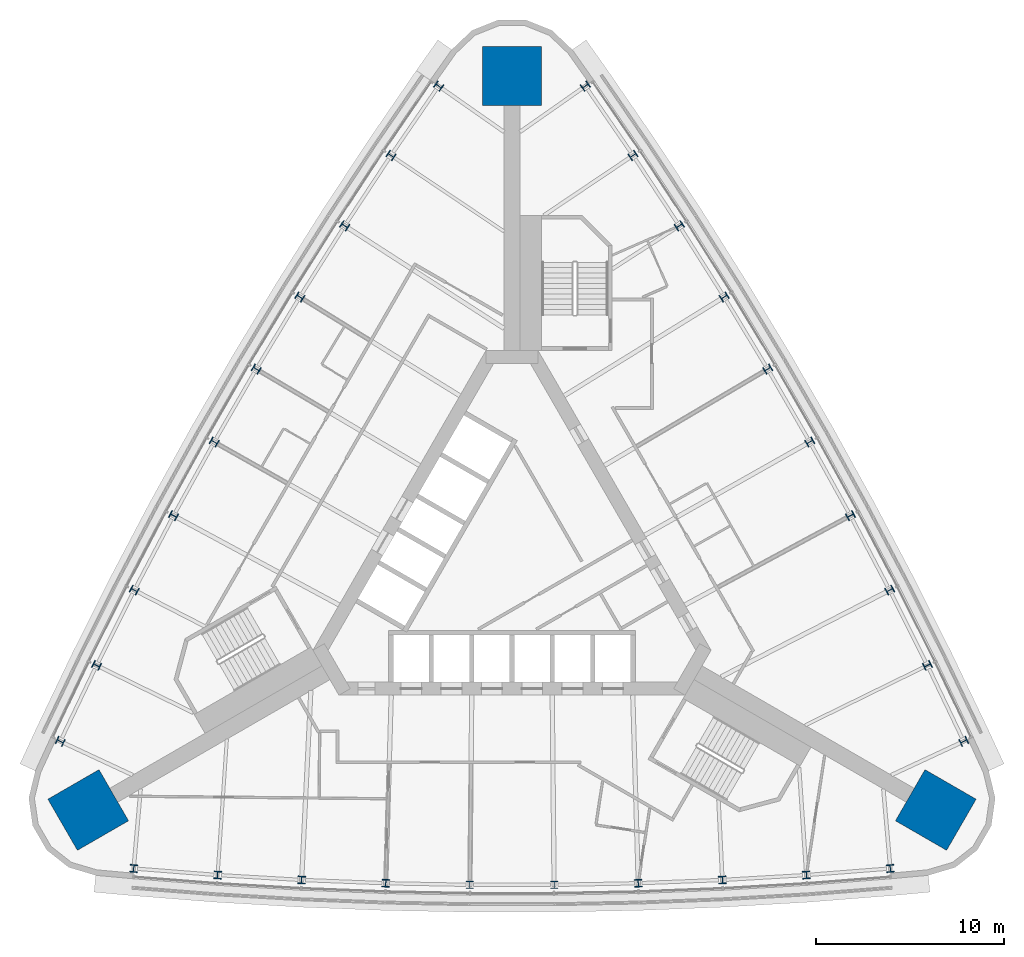
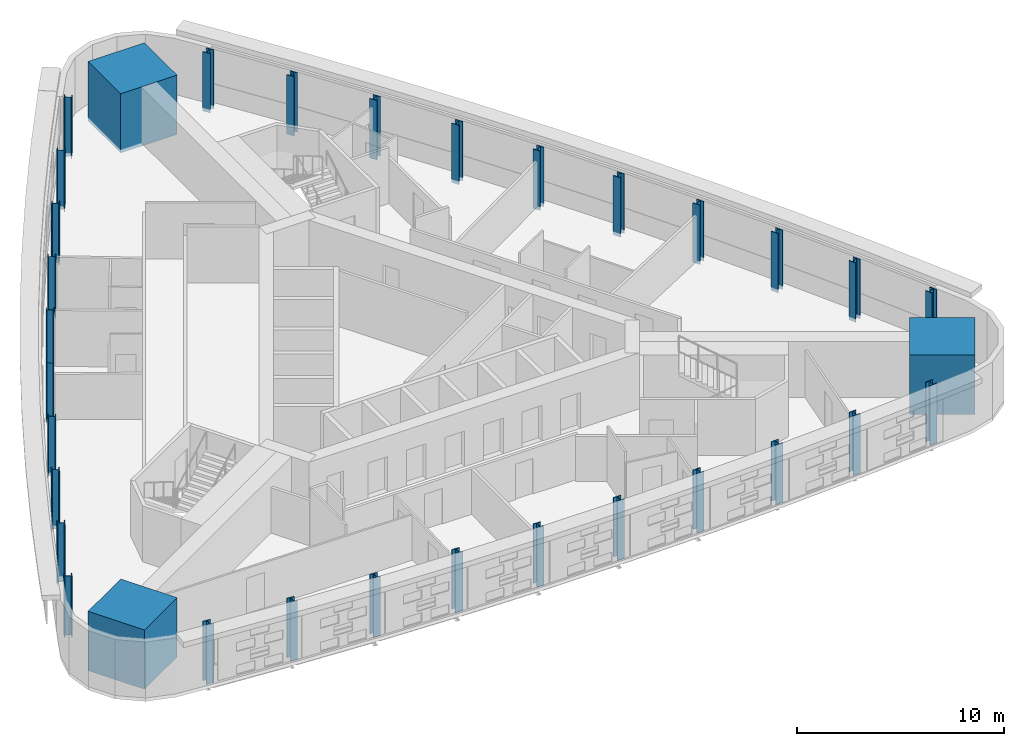
# One storey, part 1 of 13: 33 columns.
"""IFC4 building model written with IfcOpenShell, lengths in metres."""

from ifc_helpers import new_model, si_unit, direction, frame, origin, origin_2d, place, context, subcontext, project, spatial, rectangle, i_section, extrude, material, material_profile, profile_set, type_object, element, save


model = new_model("IFC4")

# Units and contexts
model_context = context("Model", 3, precision=1e-05, world=origin(), true_north=direction((0.0, 1.0)))
body_context = subcontext(model_context, "Body", "Model", "MODEL_VIEW")
ifc_project = project(units=[si_unit("LENGTHUNIT", "METRE"), si_unit("AREAUNIT", "SQUARE_METRE"), si_unit("VOLUMEUNIT", "CUBIC_METRE"), si_unit("PLANEANGLEUNIT", "RADIAN"), si_unit("MASSUNIT", "GRAM", prefix="KILO")], contexts=[model_context])

# Site, building, storey
site_placement = place(None, origin())
site = spatial("IfcSite", under=ifc_project, at=site_placement, CompositionType="ELEMENT")
building_placement = place(site_placement, origin())
building = spatial("IfcBuilding", under=site, at=building_placement, Name="Noor Cloister Tower", CompositionType="ELEMENT")
storey_placement = place(building_placement, frame((0.0, 0.0, 83.39990234375)))
storey = spatial("IfcBuildingStorey", under=building, at=storey_placement, Name="L21", CompositionType="ELEMENT", Elevation=83.39990234375)

# Columns
ifc_material_1 = material(Name="Steel ASTM A992 Gr 50", Category="steel")
ifc_material_profile_1 = material_profile(ifc_material_1, i_section(OverallWidth=0.404052734375, OverallDepth=0.406005859375, WebThickness=0.027099609375, FlangeThickness=0.043701171875, FilletRadius=0.01513671875, at=origin_2d()), Name="W360x347")
ifc_profile_set_1 = profile_set([ifc_material_profile_1], Name="Steel ASTM A992 Gr 50")
column_type_1 = type_object("IfcColumnType", Name="Column W360x347", PredefinedType="COLUMN", material=ifc_profile_set_1)
for number, where, z_axis, x_axis, name in (
    (1, (-3.913818359375, 25.556884765625, -0.199951171875), (0.0, 0.0, 1.0), (-0.57389872183, -0.818926283057, 0.0), "Column NW 01 L21"),
    (2, (-6.454345703125, 21.85546875, -0.199951171875), (0.0, 0.0, 1.0), (-0.557838169757, -0.829949743275, 0.0), "Column NW 02 L21"),
    (3, (-8.922119140625, 18.10546875, -0.199951171875), (0.0, 0.0, 1.0), (-0.541565941508, -0.840658272426, 0.0), "Column NW 03 L21"),
    (4, (-11.31640625, 14.30810546875, -0.199951171875), (0.0, 0.0, 1.0), (-0.525088211726, -0.851047807063, 0.0), "Column NW 04 L21"),
    (5, (-13.636474609375, 10.46484375, -0.199951171875), (0.0, 0.0, 1.0), (-0.508411233016, -0.861114404794, 0.0), "Column NW 05 L21"),
    (6, (-15.881103515625, 6.5771484375, -0.199951171875), (0.0, 0.0, 1.0), (-0.491541333608, -0.870854245758, 0.0), "Column NW 06 L21"),
    (7, (-18.049560546875, 2.646240234375, -0.199951171875), (0.0, 0.0, 1.0), (-0.474484914889, -0.880263634114, 0.0), "Column NW 07 L21"),
    (8, (-20.140869140625, -1.325927734375, -0.199951171875), (0.0, 0.0, 1.0), (-0.457248449068, -0.889338999384, 0.0), "Column NW 08 L21"),
    (9, (-22.154541015625, -5.338134765625, -0.199951171875), (0.0, 0.0, 1.0), (-0.439838476662, -0.898076897848, 0.0), "Column NW 09 L21"),
    (10, (-24.08984375, -9.388916015625, -0.199951171875), (0.0, 0.0, 1.0), (-0.422261604039, -0.906474013833, 0.0), "Column NW 10 L21"),
    (11, (-20.176025390625, -16.16796875, -0.199951171875), (0.0, 0.0, 1.0), (0.996160325869, -0.087547730776, 0.0), "Column S 01 L21"),
    (12, (-15.700439453125, -16.517333984375, -0.199951171875), (0.0, 0.0, 1.0), (0.997676646419, -0.068127154572, 0.0), "Column S 02 L21"),
    (13, (-11.21875, -16.779541015625, -0.199951171875), (0.0, 0.0, 1.0), (0.998814390577, -0.048680726958, 0.0), "Column S 03 L21"),
    (14, (-6.73291015625, -16.954345703125, -0.199951171875), (0.0, 0.0, 1.0), (0.999573126614, -0.029215827051, 0.0), "Column S 04 L21"),
    (15, (-2.24462890625, -17.0419921875, -0.199951171875), (0.0, 0.0, 1.0), (0.999952566624, -0.009739840965, 0.0), "Column S 05 L21"),
    (16, (2.24462890625, -17.0419921875, -0.199951171875), (0.0, 0.0, 1.0), (0.999952566624, 0.009739840965, 0.0), "Column S 06 L21"),
    (17, (6.73291015625, -16.954345703125, -0.199951171875), (0.0, 0.0, 1.0), (0.999573126614, 0.029215827051, 0.0), "Column S 07 L21"),
    (18, (11.21875, -16.779541015625, -0.199951171875), (0.0, 0.0, 1.0), (0.998814390577, 0.048680726958, 0.0), "Column S 08 L21"),
    (19, (15.700439453125, -16.517333984375, -0.199951171875), (0.0, 0.0, 1.0), (0.997676646419, 0.068127154572, 0.0), "Column S 09 L21"),
    (20, (20.176025390625, -16.16796875, -0.199951171875), (0.0, 0.0, 1.0), (0.996160325869, 0.087547730776, 0.0), "Column S 10 L21"),
    (21, (24.08984375, -9.388916015625, -0.199951171875), (0.0, 0.0, 1.0), (-0.422261604039, 0.906474013833, 0.0), "Column NE 01 L21"),
    (22, (22.154541015625, -5.338134765625, -0.199951171875), (0.0, 0.0, 1.0), (-0.439838476662, 0.898076897848, 0.0), "Column NE 02 L21"),
    (23, (20.140869140625, -1.325927734375, -0.199951171875), (0.0, 0.0, 1.0), (-0.457248449068, 0.889338999384, 0.0), "Column NE 03 L21"),
    (24, (18.049560546875, 2.646240234375, -0.199951171875), (0.0, 0.0, 1.0), (-0.474484914889, 0.880263634114, 0.0), "Column NE 04 L21"),
    (25, (15.881103515625, 6.5771484375, -0.199951171875), (0.0, 0.0, 1.0), (-0.491541333608, 0.870854245758, 0.0), "Column NE 05 L21"),
    (26, (13.636474609375, 10.46484375, -0.199951171875), (0.0, 0.0, 1.0), (-0.508411233016, 0.861114404794, 0.0), "Column NE 06 L21"),
    (27, (11.31640625, 14.30810546875, -0.199951171875), (0.0, 0.0, 1.0), (-0.525088211726, 0.851047807063, 0.0), "Column NE 07 L21"),
    (28, (8.922119140625, 18.10546875, -0.199951171875), (0.0, 0.0, 1.0), (-0.541565941508, 0.840658272426, 0.0), "Column NE 08 L21"),
    (29, (6.454345703125, 21.85546875, -0.199951171875), (0.0, 0.0, 1.0), (-0.557838169757, 0.829949743275, 0.0), "Column NE 09 L21"),
    (30, (3.913818359375, 25.556884765625, -0.199951171875), (0.0, 0.0, 1.0), (-0.57389872183, 0.818926283057, 0.0), "Column NE 10 L21"),
):
    element("IfcColumn", number, at=place(storey_placement, frame(where, z_axis=z_axis, x_axis=x_axis)), inside=storey, type_object=column_type_1, Name=name, PredefinedType="COLUMN", context=body_context, shape_type="SweptSolid", body=[
        extrude(i_section(OverallWidth=0.404052734375, OverallDepth=0.406005859375, WebThickness=0.027099609375, FlangeThickness=0.043701171875, FilletRadius=0.01513671875, at=origin_2d()), origin(), (0.0, 0.0, 1.0), 3.5),
    ])
ifc_material_2 = material(Name="Concrete C80/95", Category="concrete")
ifc_material_profile_2 = material_profile(ifc_material_2, rectangle(XDim=3.14990234375, YDim=3.14990234375, at=origin_2d()), Name="RC 3150x3150")
ifc_profile_set_2 = profile_set([ifc_material_profile_2], Name="Concrete C80/95")
column_type_2 = type_object("IfcColumnType", Name="Corner pier 3150 x 3150 C80/95", PredefinedType="COLUMN", material=ifc_profile_set_2)
for number, where, z_axis, x_axis, name in (
    (31, (0.0, 26.095947265625, -0.199951171875), (0.0, 0.0, 1.0), (0.0, 1.0, 0.0), "Corner pier N L21"),
    (32, (-22.599853515625, -13.048095703125, -0.199951171875), (0.0, 0.0, 1.0), (-0.866025403784, -0.5, 0.0), "Corner pier SW L21"),
    (33, (22.599853515625, -13.048095703125, -0.199951171875), (0.0, 0.0, 1.0), (0.866025403784, -0.5, 0.0), "Corner pier SE L21"),
):
    element("IfcColumn", number, at=place(storey_placement, frame(where, z_axis=z_axis, x_axis=x_axis)), inside=storey, type_object=column_type_2, Name=name, PredefinedType="COLUMN", context=body_context, shape_type="SweptSolid", body=[
        extrude(rectangle(XDim=3.14990234375, YDim=3.14990234375, at=origin_2d()), origin(), (0.0, 0.0, 1.0), 3.5),
    ])

save(model, "model.ifc")
